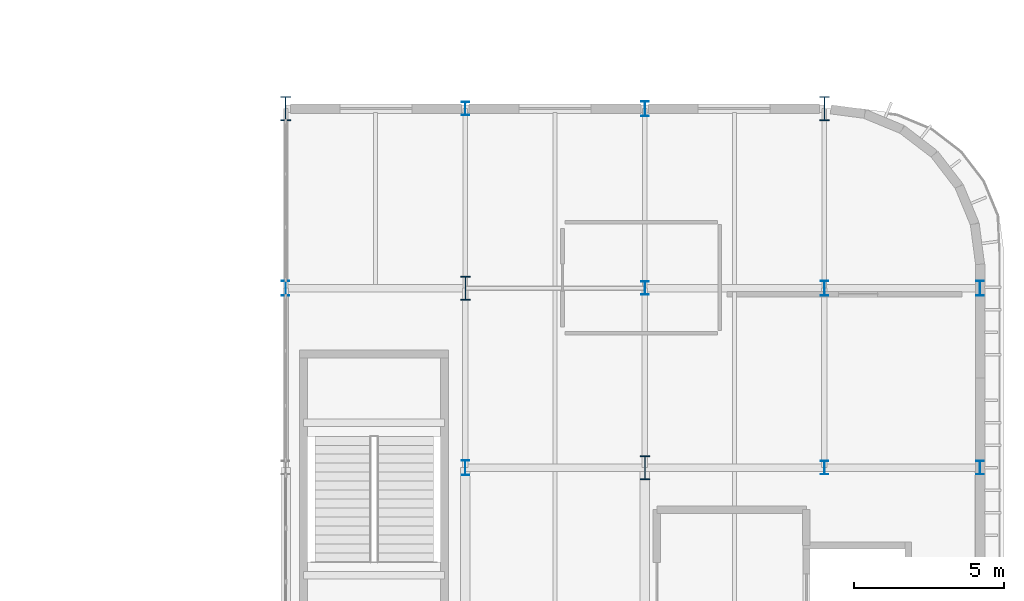
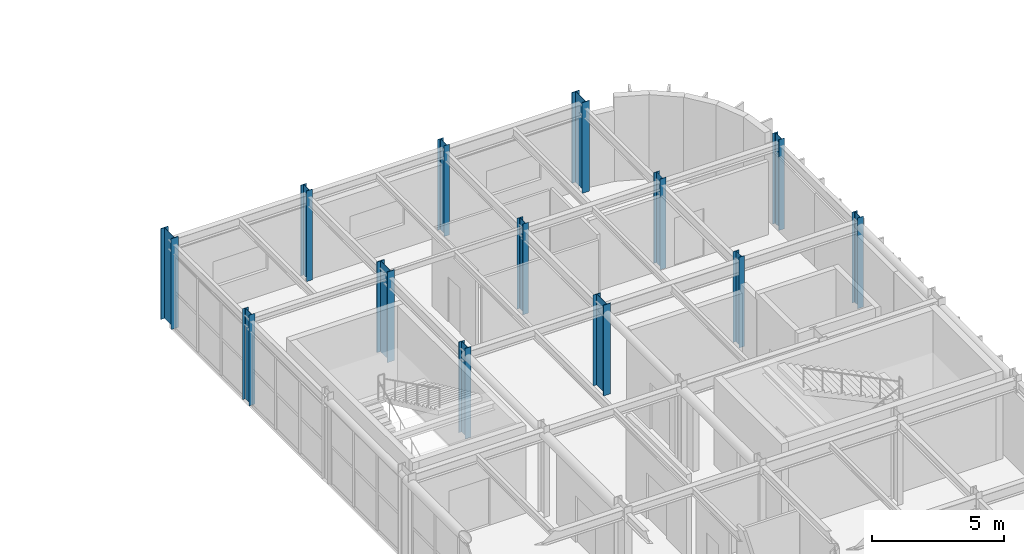
# One storey, part 10 of 83: 13 columns.
"""IFC4 building model written with IfcOpenShell, lengths in metres."""

from ifc_helpers import new_model, si_unit, direction, frame, origin, origin_2d, place, context, subcontext, project, spatial, i_section, extrude, material, material_profile, profile_set, type_object, element, save


model = new_model("IFC4")

# Units and contexts
model_context = context("Model", 3, precision=1e-05, world=origin(), true_north=direction((0.0, 1.0)))
body_context = subcontext(model_context, "Body", "Model", "MODEL_VIEW")
ifc_project = project(units=[si_unit("LENGTHUNIT", "METRE"), si_unit("AREAUNIT", "SQUARE_METRE"), si_unit("VOLUMEUNIT", "CUBIC_METRE"), si_unit("PLANEANGLEUNIT", "RADIAN"), si_unit("MASSUNIT", "GRAM", prefix="KILO")], contexts=[model_context])

# Site, building, storey
site_placement = place(None, origin())
site = spatial("IfcSite", under=ifc_project, at=site_placement, CompositionType="ELEMENT")
building_placement = place(site_placement, origin())
building = spatial("IfcBuilding", under=site, at=building_placement, Name="Varnakota Square Police Headquarters", CompositionType="ELEMENT")
storey_placement = place(building_placement, frame((0.0, 0.0, 18.0)))
storey = spatial("IfcBuildingStorey", under=building, at=storey_placement, Name="L04", CompositionType="ELEMENT", Elevation=18.0)

# Columns
ifc_material = material(Name="Steel IS 2062 Grade 350", Category="steel")
ifc_material_profile_1 = material_profile(ifc_material, i_section(OverallWidth=0.320068359375, OverallDepth=0.800048828125, WebThickness=0.01611328125, FlangeThickness=0.028076171875, at=origin_2d()), Name="BPG 800x320")
ifc_profile_set_1 = profile_set([ifc_material_profile_1], Name="Steel IS 2062 Grade 350")
column_type_1 = type_object("IfcColumnType", Name="COL-BPG800", PredefinedType="COLUMN", material=ifc_profile_set_1)
for number, where, z_axis, x_axis, name in (
    (1, (138.0, 45.0, 0.0), (0.0, 0.0, 1.0), (1.0, 0.0, 0.0), "Column X1380-Y0450 L04"),
    (2, (144.0, 39.0, 0.0), (0.0, 0.0, 1.0), (1.0, 0.0, 0.0), "Column X1440-Y0390 L04"),
    (3, (150.0, 33.0, 0.0), (0.0, 0.0, 1.0), (1.0, 0.0, 0.0), "Column X1500-Y0330 L04"),
    (4, (156.0, 45.0, 0.0), (0.0, 0.0, 1.0), (1.0, 0.0, 0.0), "Column X1560-Y0450 L04"),
):
    element("IfcColumn", number, at=place(storey_placement, frame(where, z_axis=z_axis, x_axis=x_axis)), inside=storey, type_object=column_type_1, Name=name, PredefinedType="COLUMN", context=body_context, shape_type="SweptSolid", body=[
        extrude(i_section(OverallWidth=0.320068359375, OverallDepth=0.800048828125, WebThickness=0.01611328125, FlangeThickness=0.028076171875, at=origin_2d()), origin(), (0.0, 0.0, 1.0), 4.199951171875),
    ])
ifc_material_profile_2 = material_profile(ifc_material, i_section(OverallWidth=0.25, OverallDepth=0.449951171875, WebThickness=0.01123046875, FlangeThickness=0.013671875, FilletRadius=0.014892578125, at=origin_2d()), Name="ISHB 450")
ifc_profile_set_2 = profile_set([ifc_material_profile_2], Name="Steel IS 2062 Grade 350")
column_type_2 = type_object("IfcColumnType", Name="COL-ISHB450", PredefinedType="COLUMN", material=ifc_profile_set_2)
for number, where, z_axis, x_axis, name in (
    (5, (144.0, 45.0, 0.0), (0.0, 0.0, 1.0), (1.0, 0.0, 0.0), "Column X1440-Y0450 L04"),
    (6, (150.0, 39.0, 0.0), (0.0, 0.0, 1.0), (1.0, 0.0, 0.0), "Column X1500-Y0390 L04"),
    (7, (156.0, 33.0, 0.0), (0.0, 0.0, 1.0), (1.0, 0.0, 0.0), "Column X1560-Y0330 L04"),
    (8, (161.199951171875, 33.0, 0.0), (0.0, 0.0, 1.0), (1.0, 0.0, 0.0), "Column X1612-Y0330 L04"),
):
    element("IfcColumn", number, at=place(storey_placement, frame(where, z_axis=z_axis, x_axis=x_axis)), inside=storey, type_object=column_type_2, Name=name, PredefinedType="COLUMN", context=body_context, shape_type="SweptSolid", body=[
        extrude(i_section(OverallWidth=0.25, OverallDepth=0.449951171875, WebThickness=0.01123046875, FlangeThickness=0.013671875, FilletRadius=0.014892578125, at=origin_2d()), origin(), (0.0, 0.0, 1.0), 4.199951171875),
    ])
ifc_material_profile_3 = material_profile(ifc_material, i_section(OverallWidth=0.25, OverallDepth=0.5, WebThickness=0.010009765625, FlangeThickness=0.0146484375, FilletRadius=0.014892578125, at=origin_2d()), Name="ISWB 500")
ifc_profile_set_3 = profile_set([ifc_material_profile_3], Name="Steel IS 2062 Grade 350")
column_type_3 = type_object("IfcColumnType", Name="COL-ISWB500", PredefinedType="COLUMN", material=ifc_profile_set_3)
for number, where, z_axis, x_axis, name in (
    (9, (138.0, 39.0, 0.0), (0.0, 0.0, 1.0), (1.0, 0.0, 0.0), "Column X1380-Y0390 L04"),
    (10, (144.0, 33.0, 0.0), (0.0, 0.0, 1.0), (1.0, 0.0, 0.0), "Column X1440-Y0330 L04"),
    (11, (150.0, 45.0, 0.0), (0.0, 0.0, 1.0), (1.0, 0.0, 0.0), "Column X1500-Y0450 L04"),
    (12, (156.0, 39.0, 0.0), (0.0, 0.0, 1.0), (1.0, 0.0, 0.0), "Column X1560-Y0390 L04"),
    (13, (161.199951171875, 39.0, 0.0), (0.0, 0.0, 1.0), (1.0, 0.0, 0.0), "Column X1612-Y0390 L04"),
):
    element("IfcColumn", number, at=place(storey_placement, frame(where, z_axis=z_axis, x_axis=x_axis)), inside=storey, type_object=column_type_3, Name=name, PredefinedType="COLUMN", context=body_context, shape_type="SweptSolid", body=[
        extrude(i_section(OverallWidth=0.25, OverallDepth=0.5, WebThickness=0.010009765625, FlangeThickness=0.0146484375, FilletRadius=0.014892578125, at=origin_2d()), origin(), (0.0, 0.0, 1.0), 4.199951171875),
    ])

save(model, "model.ifc")
